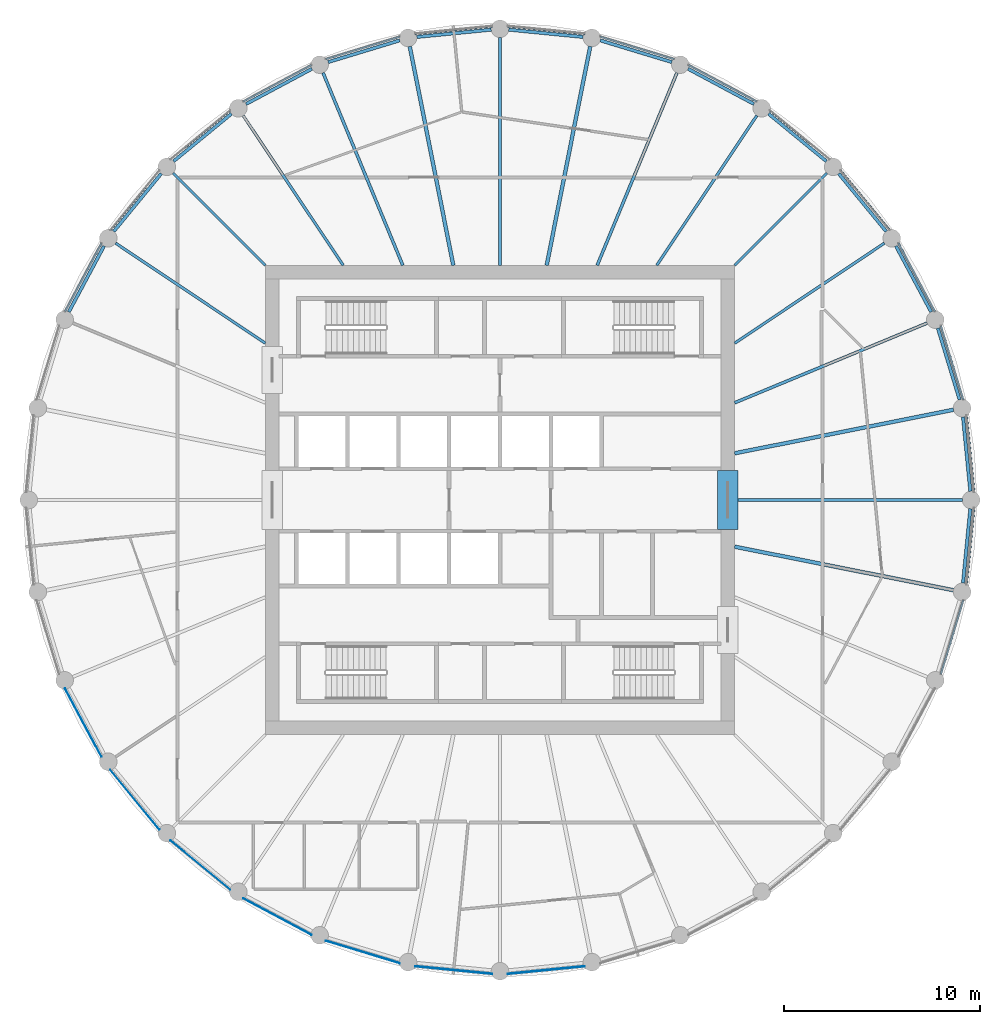
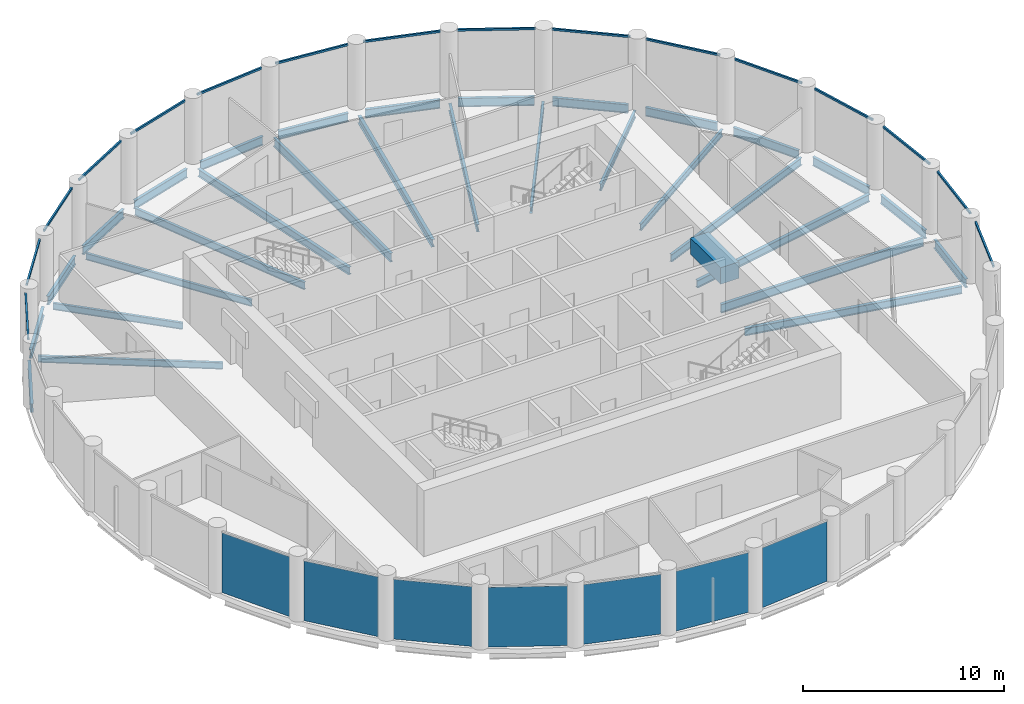
# One storey, part 2 of 8: 31 beams, 16 members, 7 plates, 23 elements without a shape of their own.
"""IFC4 building model written with IfcOpenShell, lengths in metres."""

import ifcopenshell
import ifcopenshell.guid

model = None  # the IFC model being written
_history = None  # IfcOwnerHistory: only IFC2X3 demands one
_inside = {}  # id of a spatial element -> (the spatial element, [elements in it])
_under = {}  # id of a project, library or spatial element -> (it, [spatial elements below it])
_declared = {}  # id of a project -> (the project, [libraries it declares])
_typed = {}  # id of a type object -> (the type object, [elements of that type])
_made_of = {}  # id of a material, layer set ... -> (it, [elements and type objects made of it])


def new_model(schema):
    """Start an empty IFC model of exactly this schema.

    Asked for "IFC4X3", IfcOpenShell would pick the latest addendum, in which some entities
    have other attributes; the version numbers below select the first issue.
    IFC2X3 requires an IfcOwnerHistory on every rooted entity: one is made here for all.
    """
    global model, _history
    if schema == "IFC4X3":
        model = ifcopenshell.file(schema_version=(4, 3, 0, 0))
    else:
        model = ifcopenshell.file(schema=schema)
    _inside.clear()
    _under.clear()
    _declared.clear()
    _typed.clear()
    _made_of.clear()
    _history = None
    if model.schema == "IFC2X3":
        org = make("IfcOrganization", Name="unknown")
        user = make(
            "IfcPersonAndOrganization",
            ThePerson=make("IfcPerson", FamilyName="unknown"),
            TheOrganization=org,
        )
        app = make(
            "IfcApplication",
            ApplicationDeveloper=org,
            Version="unknown",
            ApplicationFullName="unknown",
            ApplicationIdentifier="unknown",
        )
        _history = make(
            "IfcOwnerHistory",
            OwningUser=user,
            OwningApplication=app,
            ChangeAction="ADDED",
            CreationDate=0,
        )
    return model


def make(cls, **values):
    """One entity of the class cls with the attributes given. An attribute that is None is left unset."""
    return model.create_entity(
        cls, **{name: value for name, value in values.items() if value is not None}
    )


def rooted(cls, **values):
    """An entity with a GlobalId (a new one), such as an element, a storey or a relation."""
    return make(cls, GlobalId=ifcopenshell.guid.new(), OwnerHistory=_history, **values)


def si_unit(unit_type, name, prefix=None):
    """IfcSIUnit, for example si_unit("LENGTHUNIT", "METRE", prefix="MILLI")."""
    return make("IfcSIUnit", UnitType=unit_type, Prefix=prefix, Name=name)


def assignment(units):
    """IfcUnitAssignment: the units of a project."""
    return None if units is None else make("IfcUnitAssignment", Units=units)


def point(xyz):
    """IfcCartesianPoint."""
    return None if xyz is None else make("IfcCartesianPoint", Coordinates=xyz)


def direction(xyz):
    """IfcDirection."""
    return None if xyz is None else make("IfcDirection", DirectionRatios=xyz)


def frame(location, z_axis=None, x_axis=None):
    """IfcAxis2Placement3D, a coordinate frame: its origin and axes. An axis left out is left unset."""
    return make(
        "IfcAxis2Placement3D",
        Location=point(location),
        Axis=direction(z_axis),
        RefDirection=direction(x_axis),
    )


def frame_2d(location, x_axis=None):
    """IfcAxis2Placement2D, a coordinate frame in the plane: its origin and x axis."""
    return make(
        "IfcAxis2Placement2D", Location=point(location), RefDirection=direction(x_axis)
    )


def origin():
    """The frame at (0, 0, 0) with its axes left unset."""
    return frame((0.0, 0.0, 0.0))


def origin_2d():
    """The frame at (0, 0) in the plane with its x axis left unset."""
    return frame_2d((0.0, 0.0))


def place(relative_to, where):
    """IfcLocalPlacement: puts the frame where relative to a parent placement (None: the world)."""
    return make(
        "IfcLocalPlacement", PlacementRelTo=relative_to, RelativePlacement=where
    )


def context(
    kind, dimensions, precision=None, world=None, true_north=None, identifier=None
):
    """IfcGeometricRepresentationContext, for example the 3D "Model" context."""
    return make(
        "IfcGeometricRepresentationContext",
        ContextIdentifier=identifier,
        ContextType=kind,
        CoordinateSpaceDimension=dimensions,
        Precision=precision,
        WorldCoordinateSystem=world,
        TrueNorth=true_north,
    )


def subcontext(parent, identifier, kind, view, scale=None):
    """IfcGeometricRepresentationSubContext, for example "Body" below "Model"."""
    return make(
        "IfcGeometricRepresentationSubContext",
        ContextIdentifier=identifier,
        ContextType=kind,
        ParentContext=parent,
        TargetScale=scale,
        TargetView=view,
    )


def project(units=None, contexts=None):
    """IfcProject with its units and contexts."""
    return rooted(
        "IfcProject",
        Name="project",
        RepresentationContexts=contexts,
        UnitsInContext=assignment(units),
    )


def spatial(cls, under=None, at=None, **own):
    """A site, building, storey or space (cls), placed at a placement, below another one or the project."""
    s = rooted(cls, ObjectPlacement=at, **own)
    if under is not None:
        _under.setdefault(under.id(), (under, []))[1].append(s)
    return s


def profile(cls, at=None, kind="AREA", **sizes):
    """A parametric profile (cls). Its sizes go by their IFC names, for example OverallWidth=200.0."""
    return make(cls, ProfileType=kind, Position=at, **sizes)


def rectangle(**sizes):
    """IfcRectangleProfileDef."""
    return profile("IfcRectangleProfileDef", **sizes)


def i_section(**sizes):
    """IfcIShapeProfileDef."""
    return profile("IfcIShapeProfileDef", **sizes)


def extrude(swept, where, along, depth):
    """IfcExtrudedAreaSolid: the profile swept, set in the frame where, extruded along a direction by depth."""
    return make(
        "IfcExtrudedAreaSolid",
        SweptArea=swept,
        Position=where,
        ExtrudedDirection=direction(along),
        Depth=depth,
    )


def shape(context_of_items, identifier, shape_type, items):
    """IfcShapeRepresentation: the items that make up one representation, for example the "Body"."""
    return make(
        "IfcShapeRepresentation",
        ContextOfItems=context_of_items,
        RepresentationIdentifier=identifier,
        RepresentationType=shape_type,
        Items=items,
    )


def material(Name=None, Category=None):
    """IfcMaterial."""
    return make("IfcMaterial", Name=Name, Category=Category)


def layer(
    of_material, thickness, ventilated=None, Name=None, Category=None, Priority=None
):
    """IfcMaterialLayer: one layer of a wall or slab, of a material (None: an air gap)."""
    return make(
        "IfcMaterialLayer",
        Material=of_material,
        LayerThickness=thickness,
        IsVentilated=ventilated,
        Name=Name,
        Category=Category,
        Priority=Priority,
    )


def layer_set(layers, Name=None):
    """IfcMaterialLayerSet."""
    return make("IfcMaterialLayerSet", MaterialLayers=layers, LayerSetName=Name)


def material_profile(
    of_material, cross_section, Name=None, Category=None, Priority=None
):
    """IfcMaterialProfile: a cross section and its material."""
    return make(
        "IfcMaterialProfile",
        Name=Name,
        Material=of_material,
        Profile=cross_section,
        Priority=Priority,
        Category=Category,
    )


def profile_set(profiles, Name=None, composite=None):
    """IfcMaterialProfileSet."""
    return make(
        "IfcMaterialProfileSet",
        Name=Name,
        MaterialProfiles=profiles,
        CompositeProfile=composite,
    )


def made_of(thing, what):
    """Note that an element or type object is made of a material, layer set ...; save() writes the relation."""
    if what is not None:
        _made_of.setdefault(what.id(), (what, []))[1].append(thing)
    return thing


def type_object(cls, material=None, **own):
    """A type object (cls), such as IfcWallType, which elements share."""
    return made_of(rooted(cls, **own), material)


def element(
    cls,
    number,
    at=None,
    inside=None,
    cuts=None,
    type_object=None,
    material=None,
    context=None,
    identifier="Body",
    shape_type=None,
    held_by="IfcProductDefinitionShape",
    body=None,
    shapes=None,
    **own,
):
    """One element of the class cls, such as IfcWall. Its Tag is "e" and its number.

    at: its placement. inside: the storey or other place that contains it. cuts: it is an
    opening in that element (IfcRelVoidsElement). A single representation is given by context,
    identifier, shape_type and body (its items); several are given by shapes. held_by: the class
    of the entity that holds the representations. save() writes the other relations.
    """
    e = rooted(cls, Tag="e%d" % number, ObjectPlacement=at, **own)
    if body is not None:
        shapes = [shape(context, identifier, shape_type, body)]
    if shapes is not None:
        e.Representation = make(held_by, Representations=shapes)
    if inside is not None:
        _inside.setdefault(inside.id(), (inside, []))[1].append(e)
    if cuts is not None:
        rooted(
            "IfcRelVoidsElement", RelatingBuildingElement=cuts, RelatedOpeningElement=e
        )
    if type_object is not None:
        _typed.setdefault(type_object.id(), (type_object, []))[1].append(e)
    return made_of(e, material)


def aggregate(whole, parts):
    """IfcRelAggregates: a whole, such as a stair, and the parts it consists of."""
    return rooted("IfcRelAggregates", RelatingObject=whole, RelatedObjects=parts)


def save(model, path):
    """Write the relations noted so far, then the file.

    IfcRelAggregates (storeys below a building ...), IfcRelContainedInSpatialStructure (elements
    in a storey), IfcRelDefinesByType, IfcRelAssociatesMaterial and IfcRelDeclares: one each for
    every whole, place, type object, material and project.
    """
    for whole, parts in _under.values():
        aggregate(whole, parts)
    for where, things in _inside.values():
        rooted(
            "IfcRelContainedInSpatialStructure",
            RelatedElements=things,
            RelatingStructure=where,
        )
    for kind, things in _typed.values():
        rooted("IfcRelDefinesByType", RelatedObjects=things, RelatingType=kind)
    for what, things in _made_of.values():
        rooted("IfcRelAssociatesMaterial", RelatedObjects=things, RelatingMaterial=what)
    for by, libraries in _declared.values():
        rooted("IfcRelDeclares", RelatingContext=by, RelatedDefinitions=libraries)
    model.write(path)


model = new_model("IFC4")

# Units and contexts
model_context = context("Model", 3, precision=1e-05, world=origin(), true_north=direction((0.0, 1.0)))
body_context = subcontext(model_context, "Body", "Model", "MODEL_VIEW")
ifc_project = project(units=[si_unit("LENGTHUNIT", "METRE"), si_unit("AREAUNIT", "SQUARE_METRE"), si_unit("VOLUMEUNIT", "CUBIC_METRE"), si_unit("PLANEANGLEUNIT", "RADIAN"), si_unit("MASSUNIT", "GRAM", prefix="KILO")], contexts=[model_context])

# Site, building, storey
site_placement = place(None, origin())
site = spatial("IfcSite", under=ifc_project, at=site_placement, CompositionType="ELEMENT")
building_placement = place(site_placement, origin())
building = spatial("IfcBuilding", under=site, at=building_placement, Name="Corvane Civic Tower", CompositionType="ELEMENT")
storey_placement = place(building_placement, frame((0.0, 0.0, 303.0)))
storey = spatial("IfcBuildingStorey", under=building, at=storey_placement, Name="L72", CompositionType="ELEMENT", Elevation=303.0)

# Beams
ifc_material_1 = material(Name="Concrete C40/50", Category="concrete")
ifc_material_profile_1 = material_profile(ifc_material_1, rectangle(XDim=1.050048828125, YDim=1.0, at=origin_2d()), Name="COUPLING BEAM 1050X1000")
ifc_profile_set_1 = profile_set([ifc_material_profile_1], Name="Concrete C40/50")
beam_type_1 = type_object("IfcBeamType", Name="COUPLING BEAM COUPLING BEAM 1050X1000", PredefinedType="BEAM", material=ifc_profile_set_1)
beam_1_placement = place(storey_placement, frame((11.64990234375, -1.5, 2.60009765625), z_axis=(0.0, 1.0, 0.0), x_axis=(-1.0, 0.0, 0.0)))
element("IfcBeam", 1, at=beam_1_placement, inside=storey, type_object=beam_type_1, Name="BM-L72-cpl-CW-LE", PredefinedType="BEAM", context=body_context, shape_type="SweptSolid", body=[
    extrude(rectangle(XDim=1.050048828125, YDim=1.0, at=origin_2d()), origin(), (0.0, 0.0, 1.0), 3.0),
])
ifc_material_2 = material(Name="Steel ASTM A992 Gr 50", Category="steel")
ifc_material_profile_2 = material_profile(ifc_material_2, i_section(OverallWidth=0.165771484375, OverallDepth=0.5283203125, WebThickness=0.009765625, FlangeThickness=0.013671875, at=origin_2d()), Name="W21X50")
ifc_profile_set_2 = profile_set([ifc_material_profile_2], Name="Steel ASTM A992 Gr 50")
beam_type_2 = type_object("IfcBeamType", Name="EDGE BEAM W21X50", PredefinedType="BEAM", material=ifc_profile_set_2)
for number, where, z_axis, x_axis, name in (
    (2, (0.44775390625, 24.055908203125, -0.564208984375), (0.995187721162, -0.097986732007, 0.0), (0.097986732007, 0.995187721162, 0.0), "BM-L72-E01"),
    (3, (5.13232421875, 23.50634765625, -0.564208984375), (0.95692555902, -0.290333385085, 0.0), (0.290333385085, 0.95692555902, 0.0), "BM-L72-E02"),
):
    element("IfcBeam", number, at=place(storey_placement, frame(where, z_axis=z_axis, x_axis=x_axis)), inside=storey, type_object=beam_type_2, Name=name, PredefinedType="BEAM", context=body_context, shape_type="SweptSolid", body=[
        extrude(i_section(OverallWidth=0.165771484375, OverallDepth=0.5283203125, WebThickness=0.009765625, FlangeThickness=0.013671875, at=origin_2d()), origin(), (0.0, 0.0, 1.0), 3.824462890625),
    ])
beam_2_placement = place(storey_placement, frame((9.61962890625, 22.05322265625, -0.564208984375), z_axis=(0.881914279413, -0.471409804487, 0.0), x_axis=(0.471409804487, 0.881914279413, 0.0)))
element("IfcBeam", 4, at=beam_2_placement, inside=storey, type_object=beam_type_2, Name="BM-L72-E03", PredefinedType="BEAM", context=body_context, shape_type="SweptSolid", body=[
    extrude(i_section(OverallWidth=0.165771484375, OverallDepth=0.5283203125, WebThickness=0.009765625, FlangeThickness=0.013671875, at=origin_2d()), origin(), (0.0, 0.0, 1.0), 3.82421875),
])
for number, where, z_axis, x_axis, name in (
    (5, (13.737060546875, 19.7529296875, -0.564208984375), (0.772997914867, -0.634408562057, 0.0), (0.634408562057, 0.772997914867, 0.0), "BM-L72-E04"),
    (6, (17.32666015625, 16.693359375, -0.564208984375), (0.634408562057, -0.772997914867, 0.0), (0.772997914867, 0.634408562057, 0.0), "BM-L72-E05"),
):
    element("IfcBeam", number, at=place(storey_placement, frame(where, z_axis=z_axis, x_axis=x_axis)), inside=storey, type_object=beam_type_2, Name=name, PredefinedType="BEAM", context=body_context, shape_type="SweptSolid", body=[
        extrude(i_section(OverallWidth=0.165771484375, OverallDepth=0.5283203125, WebThickness=0.009765625, FlangeThickness=0.013671875, at=origin_2d()), origin(), (0.0, 0.0, 1.0), 3.824462890625),
    ])
beam_3_placement = place(storey_placement, frame((20.25048828125, 12.9921875, -0.564208984375), z_axis=(0.471409804487, -0.881914279413, 0.0), x_axis=(0.881914279413, 0.471409804487, 0.0)))
element("IfcBeam", 7, at=beam_3_placement, inside=storey, type_object=beam_type_2, Name="BM-L72-E06", PredefinedType="BEAM", context=body_context, shape_type="SweptSolid", body=[
    extrude(i_section(OverallWidth=0.165771484375, OverallDepth=0.5283203125, WebThickness=0.009765625, FlangeThickness=0.013671875, at=origin_2d()), origin(), (0.0, 0.0, 1.0), 3.82421875),
])
for number, where, z_axis, x_axis, name in (
    (8, (22.39599609375, 8.7919921875, -0.564208984375), (0.290333385085, -0.95692555902, 0.0), (0.95692555902, 0.290333385085, 0.0), "BM-L72-E07"),
    (9, (23.68115234375, 4.25390625, -0.564208984375), (0.097986732007, -0.995187721162, 0.0), (0.995187721162, 0.097986732007, 0.0), "BM-L72-E08"),
    (10, (24.055908203125, -0.44775390625, -0.564208984375), (-0.097986732007, -0.995187721162, 0.0), (0.995187721162, -0.097986732007, 0.0), "BM-L72-E09"),
):
    element("IfcBeam", number, at=place(storey_placement, frame(where, z_axis=z_axis, x_axis=x_axis)), inside=storey, type_object=beam_type_2, Name=name, PredefinedType="BEAM", context=body_context, shape_type="SweptSolid", body=[
        extrude(i_section(OverallWidth=0.165771484375, OverallDepth=0.5283203125, WebThickness=0.009765625, FlangeThickness=0.013671875, at=origin_2d()), origin(), (0.0, 0.0, 1.0), 3.824462890625),
    ])
beam_4_placement = place(storey_placement, frame((-22.05322265625, 9.61962890625, -0.564208984375), z_axis=(0.471409804487, 0.881914279413, 0.0), x_axis=(-0.881914279413, 0.471409804487, 0.0)))
element("IfcBeam", 11, at=beam_4_placement, inside=storey, type_object=beam_type_2, Name="BM-L72-E27", PredefinedType="BEAM", context=body_context, shape_type="SweptSolid", body=[
    extrude(i_section(OverallWidth=0.165771484375, OverallDepth=0.5283203125, WebThickness=0.009765625, FlangeThickness=0.013671875, at=origin_2d()), origin(), (0.0, 0.0, 1.0), 3.82421875),
])
for number, where, z_axis, x_axis, name in (
    (12, (-19.7529296875, 13.737060546875, -0.564208984375), (0.634408562057, 0.772997914867, 0.0), (-0.772997914867, 0.634408562057, 0.0), "BM-L72-E28"),
    (13, (-16.693359375, 17.32666015625, -0.564208984375), (0.772997914867, 0.634408562057, 0.0), (-0.634408562057, 0.772997914867, 0.0), "BM-L72-E29"),
):
    element("IfcBeam", number, at=place(storey_placement, frame(where, z_axis=z_axis, x_axis=x_axis)), inside=storey, type_object=beam_type_2, Name=name, PredefinedType="BEAM", context=body_context, shape_type="SweptSolid", body=[
        extrude(i_section(OverallWidth=0.165771484375, OverallDepth=0.5283203125, WebThickness=0.009765625, FlangeThickness=0.013671875, at=origin_2d()), origin(), (0.0, 0.0, 1.0), 3.824462890625),
    ])
beam_5_placement = place(storey_placement, frame((-12.9921875, 20.25048828125, -0.564208984375), z_axis=(0.881914279413, 0.471409804487, 0.0), x_axis=(-0.471409804487, 0.881914279413, 0.0)))
element("IfcBeam", 14, at=beam_5_placement, inside=storey, type_object=beam_type_2, Name="BM-L72-E30", PredefinedType="BEAM", context=body_context, shape_type="SweptSolid", body=[
    extrude(i_section(OverallWidth=0.165771484375, OverallDepth=0.5283203125, WebThickness=0.009765625, FlangeThickness=0.013671875, at=origin_2d()), origin(), (0.0, 0.0, 1.0), 3.82421875),
])
for number, where, z_axis, x_axis, name in (
    (15, (-8.7919921875, 22.39599609375, -0.564208984375), (0.95692555902, 0.290333385085, 0.0), (-0.290333385085, 0.95692555902, 0.0), "BM-L72-E31"),
    (16, (-4.25390625, 23.68115234375, -0.564208984375), (0.995187721162, 0.097986732007, 0.0), (-0.097986732007, 0.995187721162, 0.0), "BM-L72-E32"),
):
    element("IfcBeam", number, at=place(storey_placement, frame(where, z_axis=z_axis, x_axis=x_axis)), inside=storey, type_object=beam_type_2, Name=name, PredefinedType="BEAM", context=body_context, shape_type="SweptSolid", body=[
        extrude(i_section(OverallWidth=0.165771484375, OverallDepth=0.5283203125, WebThickness=0.009765625, FlangeThickness=0.013671875, at=origin_2d()), origin(), (0.0, 0.0, 1.0), 3.824462890625),
    ])
ifc_material_3 = material(Name="Steel ASTM A992 Gr 50", Category="steel")
ifc_material_profile_3 = material_profile(ifc_material_3, i_section(OverallWidth=0.140380859375, OverallDepth=0.40380859375, WebThickness=0.007080078125, FlangeThickness=0.01123046875, at=origin_2d()), Name="W16X31")
ifc_profile_set_3 = profile_set([ifc_material_profile_3], Name="Steel ASTM A992 Gr 50")
beam_type_3 = type_object("IfcBeamType", Name="FLOOR GIRDER W16X31", PredefinedType="BEAM", material=ifc_profile_set_3)
beam_6_placement = place(storey_placement, frame((8.01806640625, 12.0, -0.501953125), z_axis=(0.555567816355, 0.831471227061, 0.0), x_axis=(-0.831471227061, 0.555567816355, 0.0)))
element("IfcBeam", 17, at=beam_6_placement, inside=storey, type_object=beam_type_3, Name="BM-L72-G04", PredefinedType="BEAM", context=body_context, shape_type="SweptSolid", body=[
    extrude(i_section(OverallWidth=0.140380859375, OverallDepth=0.40380859375, WebThickness=0.007080078125, FlangeThickness=0.01123046875, at=origin_2d()), origin(), (0.0, 0.0, 1.0), 9.2177734375),
])
beam_7_placement = place(storey_placement, frame((12.0, 12.0, -0.501953125), z_axis=(0.707106781187, 0.707106781187, 0.0), x_axis=(-0.707106781187, 0.707106781187, 0.0)))
element("IfcBeam", 18, at=beam_7_placement, inside=storey, type_object=beam_type_3, Name="BM-L72-G05", PredefinedType="BEAM", context=body_context, shape_type="SweptSolid", body=[
    extrude(i_section(OverallWidth=0.140380859375, OverallDepth=0.40380859375, WebThickness=0.007080078125, FlangeThickness=0.01123046875, at=origin_2d()), origin(), (0.0, 0.0, 1.0), 6.679443359375),
])
for number, where, z_axis, x_axis, name in (
    (19, (12.0, 8.01806640625, -0.501953125), (0.831471227061, 0.555567816355, 0.0), (-0.555567816355, 0.831471227061, 0.0), "BM-L72-G06"),
    (20, (-12.0, 8.01806640625, -0.501953125), (-0.831471227061, 0.555567816355, 0.0), (-0.555567816355, -0.831471227061, 0.0), "BM-L72-G28"),
):
    element("IfcBeam", number, at=place(storey_placement, frame(where, z_axis=z_axis, x_axis=x_axis)), inside=storey, type_object=beam_type_3, Name=name, PredefinedType="BEAM", context=body_context, shape_type="SweptSolid", body=[
        extrude(i_section(OverallWidth=0.140380859375, OverallDepth=0.40380859375, WebThickness=0.007080078125, FlangeThickness=0.01123046875, at=origin_2d()), origin(), (0.0, 0.0, 1.0), 9.2177734375),
    ])
beam_8_placement = place(storey_placement, frame((-12.0, 12.0, -0.501953125), z_axis=(-0.707106781187, 0.707106781187, 0.0), x_axis=(-0.707106781187, -0.707106781187, 0.0)))
element("IfcBeam", 21, at=beam_8_placement, inside=storey, type_object=beam_type_3, Name="BM-L72-G29", PredefinedType="BEAM", context=body_context, shape_type="SweptSolid", body=[
    extrude(i_section(OverallWidth=0.140380859375, OverallDepth=0.40380859375, WebThickness=0.007080078125, FlangeThickness=0.01123046875, at=origin_2d()), origin(), (0.0, 0.0, 1.0), 6.679443359375),
])
beam_9_placement = place(storey_placement, frame((-8.01806640625, 12.0, -0.501953125), z_axis=(-0.555567816355, 0.831471227061, 0.0), x_axis=(-0.831471227061, -0.555567816355, 0.0)))
element("IfcBeam", 22, at=beam_9_placement, inside=storey, type_object=beam_type_3, Name="BM-L72-G30", PredefinedType="BEAM", context=body_context, shape_type="SweptSolid", body=[
    extrude(i_section(OverallWidth=0.140380859375, OverallDepth=0.40380859375, WebThickness=0.007080078125, FlangeThickness=0.01123046875, at=origin_2d()), origin(), (0.0, 0.0, 1.0), 9.2177734375),
])
ifc_material_4 = material(Name="Steel ASTM A992 Gr 50", Category="steel")
ifc_material_profile_4 = material_profile(ifc_material_4, i_section(OverallWidth=0.15283203125, OverallDepth=0.45458984375, WebThickness=0.008056640625, FlangeThickness=0.013427734375, at=origin_2d()), Name="W18X40")
ifc_profile_set_4 = profile_set([ifc_material_profile_4], Name="Steel ASTM A992 Gr 50")
beam_type_4 = type_object("IfcBeamType", Name="FLOOR GIRDER W18X40", PredefinedType="BEAM", material=ifc_profile_set_4)
for number, where, z_axis, x_axis, name in (
    (23, (4.970458984375, 12.0, -0.52734375), (0.382694257331, 0.923875048589, 0.0), (-0.923875048589, 0.382694257331, 0.0), "BM-L72-G03"),
    (24, (12.0, 4.970458984375, -0.52734375), (0.923875048589, 0.382694257331, 0.0), (-0.382694257331, 0.923875048589, 0.0), "BM-L72-G07"),
    (25, (-4.970458984375, 12.0, -0.52734375), (-0.382694257331, 0.923875048589, 0.0), (-0.923875048589, -0.382694257331, 0.0), "BM-L72-G31"),
):
    element("IfcBeam", number, at=place(storey_placement, frame(where, z_axis=z_axis, x_axis=x_axis)), inside=storey, type_object=beam_type_4, Name=name, PredefinedType="BEAM", context=body_context, shape_type="SweptSolid", body=[
        extrude(i_section(OverallWidth=0.15283203125, OverallDepth=0.45458984375, WebThickness=0.008056640625, FlangeThickness=0.013427734375, at=origin_2d()), origin(), (0.0, 0.0, 1.0), 10.661376953125),
    ])
ifc_material_5 = material(Name="Steel ASTM A992 Gr 50", Category="steel")
ifc_material_profile_5 = material_profile(ifc_material_5, i_section(OverallWidth=0.1904296875, OverallDepth=0.457275390625, WebThickness=0.009033203125, FlangeThickness=0.014404296875, at=origin_2d()), Name="W18X50")
ifc_profile_set_5 = profile_set([ifc_material_profile_5], Name="Steel ASTM A992 Gr 50")
beam_type_5 = type_object("IfcBeamType", Name="FLOOR GIRDER W18X50", PredefinedType="BEAM", material=ifc_profile_set_5)
for number, where, z_axis, x_axis, name in (
    (26, (2.386962890625, 12.0, -0.528564453125), (0.195079532402, 0.980787426529, 0.0), (-0.980787426529, 0.195079532402, 0.0), "BM-L72-G02"),
    (27, (12.0, 2.386962890625, -0.528564453125), (0.980787426529, 0.195079532402, 0.0), (-0.195079532402, 0.980787426529, 0.0), "BM-L72-G08"),
    (28, (12.0, -2.386962890625, -0.528564453125), (0.980787426529, -0.195079532402, 0.0), (0.195079532402, 0.980787426529, 0.0), "BM-L72-G10"),
    (29, (-2.386962890625, 12.0, -0.528564453125), (-0.195079532402, 0.980787426529, 0.0), (-0.980787426529, -0.195079532402, 0.0), "BM-L72-G32"),
):
    element("IfcBeam", number, at=place(storey_placement, frame(where, z_axis=z_axis, x_axis=x_axis)), inside=storey, type_object=beam_type_5, Name=name, PredefinedType="BEAM", context=body_context, shape_type="SweptSolid", body=[
        extrude(i_section(OverallWidth=0.1904296875, OverallDepth=0.457275390625, WebThickness=0.009033203125, FlangeThickness=0.014404296875, at=origin_2d()), origin(), (0.0, 0.0, 1.0), 11.414794921875),
    ])
ifc_material_6 = material(Name="Steel ASTM A992 Gr 50", Category="steel")
ifc_material_profile_6 = material_profile(ifc_material_6, i_section(OverallWidth=0.165771484375, OverallDepth=0.5283203125, WebThickness=0.009765625, FlangeThickness=0.013671875, at=origin_2d()), Name="W21X50")
ifc_profile_set_6 = profile_set([ifc_material_profile_6], Name="Steel ASTM A992 Gr 50")
beam_type_6 = type_object("IfcBeamType", Name="FLOOR GIRDER W21X50", PredefinedType="BEAM", material=ifc_profile_set_6)
for number, where, z_axis, x_axis, name in (
    (30, (0.0, 12.0, -0.564208984375), (0.0, 1.0, 0.0), (-1.0, 0.0, 0.0), "BM-L72-G01"),
    (31, (12.0, 0.0, -0.564208984375), (1.0, 0.0, 0.0), (0.0, 1.0, 0.0), "BM-L72-G09"),
):
    element("IfcBeam", number, at=place(storey_placement, frame(where, z_axis=z_axis, x_axis=x_axis)), inside=storey, type_object=beam_type_6, Name=name, PredefinedType="BEAM", context=body_context, shape_type="SweptSolid", body=[
        extrude(i_section(OverallWidth=0.165771484375, OverallDepth=0.5283203125, WebThickness=0.009765625, FlangeThickness=0.013671875, at=origin_2d()), origin(), (0.0, 0.0, 1.0), 11.64990234375),
    ])

# Curtain wall, member
ifc_material_7 = material(Name="Anodised aluminium bronze", Category="aluminium")
curtain_wall_type = type_object("IfcCurtainWallType", Name="TOWER CW-T3 STICK CURTAIN WALL", PredefinedType="NOTDEFINED", material=ifc_material_7)
curtain_wall_1_placement = place(storey_placement, origin())
curtain_wall_1 = element("IfcCurtainWall", 32, at=curtain_wall_1_placement, inside=storey, type_object=curtain_wall_type, Name="Curtain wall CW-T3 L72 bay 01", PredefinedType="NOTDEFINED")
ifc_material_8 = material(Name="Anodised aluminium bronze", Category="aluminium")
ifc_material_profile_7 = material_profile(ifc_material_8, rectangle(XDim=0.10009765625, YDim=0.1201171875, at=origin_2d()), Name="TOWER CW-T3 TRANSOM 100x120")
ifc_profile_set_7 = profile_set([ifc_material_profile_7], Name="Anodised aluminium bronze")
member_type = type_object("IfcMemberType", Name="TOWER CW-T3 TRANSOM 100x120", PredefinedType="USERDEFINED", material=ifc_profile_set_7)
member_1_placement = place(storey_placement, frame((0.3984375, 24.24072265625, 3.68994140625), z_axis=(0.995186866683, -0.097995409999, 0.0), x_axis=(0.097995409999, 0.995186866683, 0.0)))
member_1 = element("IfcMember", 33, at=member_1_placement, type_object=member_type, Name="Transom CW-T3 L72 01.1", ObjectType="TRANSOM", PredefinedType="USERDEFINED", context=body_context, shape_type="SweptSolid", body=[
    extrude(rectangle(XDim=0.10009765625, YDim=0.1201171875, at=origin_2d()), origin(), (0.0, 0.0, 1.0), 3.958740234375),
])
aggregate(curtain_wall_1, [member_1])

curtain_wall_2_placement = place(storey_placement, origin())
curtain_wall_2 = element("IfcCurtainWall", 34, at=curtain_wall_2_placement, inside=storey, type_object=curtain_wall_type, Name="Curtain wall CW-T3 L72 bay 02", PredefinedType="NOTDEFINED")
member_2_placement = place(storey_placement, frame((5.119873046875, 23.697265625, 3.68994140625), z_axis=(0.956946054205, -0.290265825309, 0.0), x_axis=(0.290265825309, 0.956946054205, 0.0)))
member_2 = element("IfcMember", 35, at=member_2_placement, type_object=member_type, Name="Transom CW-T3 L72 02.1", ObjectType="TRANSOM", PredefinedType="USERDEFINED", context=body_context, shape_type="SweptSolid", body=[
    extrude(rectangle(XDim=0.10009765625, YDim=0.1201171875, at=origin_2d()), origin(), (0.0, 0.0, 1.0), 3.958984375),
])
aggregate(curtain_wall_2, [member_2])

curtain_wall_3_placement = place(storey_placement, origin())
curtain_wall_3 = element("IfcCurtainWall", 36, at=curtain_wall_3_placement, inside=storey, type_object=curtain_wall_type, Name="Curtain wall CW-T3 L72 bay 03", PredefinedType="NOTDEFINED")
member_3_placement = place(storey_placement, frame((9.644775390625, 22.2431640625, 3.68994140625), z_axis=(0.881883040816, -0.471468241052, 0.0), x_axis=(0.471468241052, 0.881883040816, 0.0)))
member_3 = element("IfcMember", 37, at=member_3_placement, type_object=member_type, Name="Transom CW-T3 L72 03.1", ObjectType="TRANSOM", PredefinedType="USERDEFINED", context=body_context, shape_type="SweptSolid", body=[
    extrude(rectangle(XDim=0.10009765625, YDim=0.1201171875, at=origin_2d()), origin(), (0.0, 0.0, 1.0), 3.958740234375),
])
aggregate(curtain_wall_3, [member_3])

curtain_wall_4_placement = place(storey_placement, origin())
curtain_wall_4 = element("IfcCurtainWall", 38, at=curtain_wall_4_placement, inside=storey, type_object=curtain_wall_type, Name="Curtain wall CW-T3 L72 bay 04", PredefinedType="NOTDEFINED")
member_4_placement = place(storey_placement, frame((13.798828125, 19.93408203125, 3.68994140625), z_axis=(0.772991943051, -0.634415838373, 0.0), x_axis=(0.634415838373, 0.772991943051, 0.0)))
member_4 = element("IfcMember", 39, at=member_4_placement, type_object=member_type, Name="Transom CW-T3 L72 04.1", ObjectType="TRANSOM", PredefinedType="USERDEFINED", context=body_context, shape_type="SweptSolid", body=[
    extrude(rectangle(XDim=0.10009765625, YDim=0.1201171875, at=origin_2d()), origin(), (0.0, 0.0, 1.0), 3.958740234375),
])
aggregate(curtain_wall_4, [member_4])

curtain_wall_5_placement = place(storey_placement, origin())
curtain_wall_5 = element("IfcCurtainWall", 40, at=curtain_wall_5_placement, inside=storey, type_object=curtain_wall_type, Name="Curtain wall CW-T3 L72 bay 05", PredefinedType="NOTDEFINED")
member_5_placement = place(storey_placement, frame((17.422607421875, 16.85888671875, 3.68994140625), z_axis=(0.634415838373, -0.772991943051, 0.0), x_axis=(0.772991943051, 0.634415838373, 0.0)))
member_5 = element("IfcMember", 41, at=member_5_placement, type_object=member_type, Name="Transom CW-T3 L72 05.1", ObjectType="TRANSOM", PredefinedType="USERDEFINED", context=body_context, shape_type="SweptSolid", body=[
    extrude(rectangle(XDim=0.10009765625, YDim=0.1201171875, at=origin_2d()), origin(), (0.0, 0.0, 1.0), 3.958740234375),
])
aggregate(curtain_wall_5, [member_5])

curtain_wall_6_placement = place(storey_placement, origin())
curtain_wall_6 = element("IfcCurtainWall", 42, at=curtain_wall_6_placement, inside=storey, type_object=curtain_wall_type, Name="Curtain wall CW-T3 L72 bay 06", PredefinedType="NOTDEFINED")
member_6_placement = place(storey_placement, frame((20.376708984375, 13.135986328125, 3.68994140625), z_axis=(0.471468241052, -0.881883040816, 0.0), x_axis=(0.881883040816, 0.471468241052, 0.0)))
member_6 = element("IfcMember", 43, at=member_6_placement, type_object=member_type, Name="Transom CW-T3 L72 06.1", ObjectType="TRANSOM", PredefinedType="USERDEFINED", context=body_context, shape_type="SweptSolid", body=[
    extrude(rectangle(XDim=0.10009765625, YDim=0.1201171875, at=origin_2d()), origin(), (0.0, 0.0, 1.0), 3.958740234375),
])
aggregate(curtain_wall_6, [member_6])

curtain_wall_7_placement = place(storey_placement, origin())
curtain_wall_7 = element("IfcCurtainWall", 44, at=curtain_wall_7_placement, inside=storey, type_object=curtain_wall_type, Name="Curtain wall CW-T3 L72 bay 07", PredefinedType="NOTDEFINED")
member_7_placement = place(storey_placement, frame((22.548095703125, 8.908447265625, 3.68994140625), z_axis=(0.290265825309, -0.956946054205, 0.0), x_axis=(0.956946054205, 0.290265825309, 0.0)))
member_7 = element("IfcMember", 45, at=member_7_placement, type_object=member_type, Name="Transom CW-T3 L72 07.1", ObjectType="TRANSOM", PredefinedType="USERDEFINED", context=body_context, shape_type="SweptSolid", body=[
    extrude(rectangle(XDim=0.10009765625, YDim=0.1201171875, at=origin_2d()), origin(), (0.0, 0.0, 1.0), 3.958984375),
])
aggregate(curtain_wall_7, [member_7])

curtain_wall_8_placement = place(storey_placement, origin())
curtain_wall_8 = element("IfcCurtainWall", 46, at=curtain_wall_8_placement, inside=storey, type_object=curtain_wall_type, Name="Curtain wall CW-T3 L72 bay 08", PredefinedType="NOTDEFINED")
member_8_placement = place(storey_placement, frame((23.852783203125, 4.338134765625, 3.68994140625), z_axis=(0.097995409999, -0.995186866683, 0.0), x_axis=(0.995186866683, 0.097995409999, 0.0)))
member_8 = element("IfcMember", 47, at=member_8_placement, type_object=member_type, Name="Transom CW-T3 L72 08.1", ObjectType="TRANSOM", PredefinedType="USERDEFINED", context=body_context, shape_type="SweptSolid", body=[
    extrude(rectangle(XDim=0.10009765625, YDim=0.1201171875, at=origin_2d()), origin(), (0.0, 0.0, 1.0), 3.958740234375),
])
aggregate(curtain_wall_8, [member_8])

curtain_wall_9_placement = place(storey_placement, origin())
curtain_wall_9 = element("IfcCurtainWall", 48, at=curtain_wall_9_placement, inside=storey, type_object=curtain_wall_type, Name="Curtain wall CW-T3 L72 bay 09", PredefinedType="NOTDEFINED")
member_9_placement = place(storey_placement, frame((24.24072265625, -0.3984375, 3.68994140625), z_axis=(-0.097995409999, -0.995186866683, 0.0), x_axis=(0.995186866683, -0.097995409999, 0.0)))
member_9 = element("IfcMember", 49, at=member_9_placement, type_object=member_type, Name="Transom CW-T3 L72 09.1", ObjectType="TRANSOM", PredefinedType="USERDEFINED", context=body_context, shape_type="SweptSolid", body=[
    extrude(rectangle(XDim=0.10009765625, YDim=0.1201171875, at=origin_2d()), origin(), (0.0, 0.0, 1.0), 3.958740234375),
])
aggregate(curtain_wall_9, [member_9])

curtain_wall_10_placement = place(storey_placement, origin())
curtain_wall_10 = element("IfcCurtainWall", 50, at=curtain_wall_10_placement, inside=storey, type_object=curtain_wall_type, Name="Curtain wall CW-T3 L72 bay 10", PredefinedType="NOTDEFINED")
member_10_placement = place(storey_placement, frame((23.697265625, -5.119873046875, 3.68994140625), z_axis=(-0.290265825309, -0.956946054205, 0.0), x_axis=(0.956946054205, -0.290265825309, 0.0)))
member_10 = element("IfcMember", 51, at=member_10_placement, type_object=member_type, Name="Transom CW-T3 L72 10.1", ObjectType="TRANSOM", PredefinedType="USERDEFINED", context=body_context, shape_type="SweptSolid", body=[
    extrude(rectangle(XDim=0.10009765625, YDim=0.1201171875, at=origin_2d()), origin(), (0.0, 0.0, 1.0), 3.958984375),
])
aggregate(curtain_wall_10, [member_10])

curtain_wall_11_placement = place(storey_placement, origin())
curtain_wall_11 = element("IfcCurtainWall", 52, at=curtain_wall_11_placement, inside=storey, type_object=curtain_wall_type, Name="Curtain wall CW-T3 L72 bay 27", PredefinedType="NOTDEFINED")
member_11_placement = place(storey_placement, frame((-22.2431640625, 9.644775390625, 3.68994140625), z_axis=(0.471468241052, 0.881883040816, 0.0), x_axis=(-0.881883040816, 0.471468241052, 0.0)))
member_11 = element("IfcMember", 53, at=member_11_placement, type_object=member_type, Name="Transom CW-T3 L72 27.1", ObjectType="TRANSOM", PredefinedType="USERDEFINED", context=body_context, shape_type="SweptSolid", body=[
    extrude(rectangle(XDim=0.10009765625, YDim=0.1201171875, at=origin_2d()), origin(), (0.0, 0.0, 1.0), 3.958740234375),
])
aggregate(curtain_wall_11, [member_11])

curtain_wall_12_placement = place(storey_placement, origin())
curtain_wall_12 = element("IfcCurtainWall", 54, at=curtain_wall_12_placement, inside=storey, type_object=curtain_wall_type, Name="Curtain wall CW-T3 L72 bay 28", PredefinedType="NOTDEFINED")
member_12_placement = place(storey_placement, frame((-19.93408203125, 13.798828125, 3.68994140625), z_axis=(0.634415838373, 0.772991943051, 0.0), x_axis=(-0.772991943051, 0.634415838373, 0.0)))
member_12 = element("IfcMember", 55, at=member_12_placement, type_object=member_type, Name="Transom CW-T3 L72 28.1", ObjectType="TRANSOM", PredefinedType="USERDEFINED", context=body_context, shape_type="SweptSolid", body=[
    extrude(rectangle(XDim=0.10009765625, YDim=0.1201171875, at=origin_2d()), origin(), (0.0, 0.0, 1.0), 3.958740234375),
])
aggregate(curtain_wall_12, [member_12])

curtain_wall_13_placement = place(storey_placement, origin())
curtain_wall_13 = element("IfcCurtainWall", 56, at=curtain_wall_13_placement, inside=storey, type_object=curtain_wall_type, Name="Curtain wall CW-T3 L72 bay 29", PredefinedType="NOTDEFINED")
member_13_placement = place(storey_placement, frame((-16.85888671875, 17.422607421875, 3.68994140625), z_axis=(0.772991943051, 0.634415838373, 0.0), x_axis=(-0.634415838373, 0.772991943051, 0.0)))
member_13 = element("IfcMember", 57, at=member_13_placement, type_object=member_type, Name="Transom CW-T3 L72 29.1", ObjectType="TRANSOM", PredefinedType="USERDEFINED", context=body_context, shape_type="SweptSolid", body=[
    extrude(rectangle(XDim=0.10009765625, YDim=0.1201171875, at=origin_2d()), origin(), (0.0, 0.0, 1.0), 3.958740234375),
])
aggregate(curtain_wall_13, [member_13])

curtain_wall_14_placement = place(storey_placement, origin())
curtain_wall_14 = element("IfcCurtainWall", 58, at=curtain_wall_14_placement, inside=storey, type_object=curtain_wall_type, Name="Curtain wall CW-T3 L72 bay 30", PredefinedType="NOTDEFINED")
member_14_placement = place(storey_placement, frame((-13.135986328125, 20.376708984375, 3.68994140625), z_axis=(0.881883040816, 0.471468241052, 0.0), x_axis=(-0.471468241052, 0.881883040816, 0.0)))
member_14 = element("IfcMember", 59, at=member_14_placement, type_object=member_type, Name="Transom CW-T3 L72 30.1", ObjectType="TRANSOM", PredefinedType="USERDEFINED", context=body_context, shape_type="SweptSolid", body=[
    extrude(rectangle(XDim=0.10009765625, YDim=0.1201171875, at=origin_2d()), origin(), (0.0, 0.0, 1.0), 3.958740234375),
])
aggregate(curtain_wall_14, [member_14])

curtain_wall_15_placement = place(storey_placement, origin())
curtain_wall_15 = element("IfcCurtainWall", 60, at=curtain_wall_15_placement, inside=storey, type_object=curtain_wall_type, Name="Curtain wall CW-T3 L72 bay 31", PredefinedType="NOTDEFINED")
member_15_placement = place(storey_placement, frame((-8.908447265625, 22.548095703125, 3.68994140625), z_axis=(0.956946054205, 0.290265825309, 0.0), x_axis=(-0.290265825309, 0.956946054205, 0.0)))
member_15 = element("IfcMember", 61, at=member_15_placement, type_object=member_type, Name="Transom CW-T3 L72 31.1", ObjectType="TRANSOM", PredefinedType="USERDEFINED", context=body_context, shape_type="SweptSolid", body=[
    extrude(rectangle(XDim=0.10009765625, YDim=0.1201171875, at=origin_2d()), origin(), (0.0, 0.0, 1.0), 3.958984375),
])
aggregate(curtain_wall_15, [member_15])

curtain_wall_16_placement = place(storey_placement, origin())
curtain_wall_16 = element("IfcCurtainWall", 62, at=curtain_wall_16_placement, inside=storey, type_object=curtain_wall_type, Name="Curtain wall CW-T3 L72 bay 32", PredefinedType="NOTDEFINED")
member_16_placement = place(storey_placement, frame((-4.338134765625, 23.852783203125, 3.68994140625), z_axis=(0.995186866683, 0.097995409999, 0.0), x_axis=(-0.097995409999, 0.995186866683, 0.0)))
member_16 = element("IfcMember", 63, at=member_16_placement, type_object=member_type, Name="Transom CW-T3 L72 32.1", ObjectType="TRANSOM", PredefinedType="USERDEFINED", context=body_context, shape_type="SweptSolid", body=[
    extrude(rectangle(XDim=0.10009765625, YDim=0.1201171875, at=origin_2d()), origin(), (0.0, 0.0, 1.0), 3.958740234375),
])
aggregate(curtain_wall_16, [member_16])

# Curtain wall, plate
curtain_wall_17_placement = place(storey_placement, origin())
curtain_wall_17 = element("IfcCurtainWall", 64, at=curtain_wall_17_placement, inside=storey, type_object=curtain_wall_type, Name="Curtain wall CW-T3 L72 bay 16", PredefinedType="NOTDEFINED")
ifc_material_9 = material(Name="Tinted glass", Category="glass")
ifc_layer = layer(ifc_material_9, 0.028076171875)
ifc_layer_set = layer_set([ifc_layer], Name="Tinted glass")
plate_type = type_object("IfcPlateType", Name="TOWER CW-T3 PANEL IGU28", PredefinedType="CURTAIN_PANEL", material=ifc_layer_set)
plate_1_placement = place(storey_placement, frame((2.368408203125, -24.046875, 0.0), z_axis=(0.0, 0.0, 1.0), x_axis=(-0.99518437747, -0.098020685775, 0.0)))
plate_1 = element("IfcPlate", 65, at=plate_1_placement, type_object=plate_type, Name="Glass panel CW-T3 L72 16.1", PredefinedType="CURTAIN_PANEL", context=body_context, shape_type="SweptSolid", body=[
    extrude(rectangle(XDim=3.958740234375, YDim=0.028076171875, at=origin_2d()), origin(), (0.0, 0.0, 1.0), 3.6298828125),
])
aggregate(curtain_wall_17, [plate_1])

curtain_wall_18_placement = place(storey_placement, origin())
curtain_wall_18 = element("IfcCurtainWall", 66, at=curtain_wall_18_placement, inside=storey, type_object=curtain_wall_type, Name="Curtain wall CW-T3 L72 bay 17", PredefinedType="NOTDEFINED")
plate_2_placement = place(storey_placement, frame((-2.368408203125, -24.046875, 0.0), z_axis=(0.0, 0.0, 1.0), x_axis=(-0.99518437747, 0.098020685775, 0.0)))
plate_2 = element("IfcPlate", 67, at=plate_2_placement, type_object=plate_type, Name="Glass panel CW-T3 L72 17.1", PredefinedType="CURTAIN_PANEL", context=body_context, shape_type="SweptSolid", body=[
    extrude(rectangle(XDim=3.958740234375, YDim=0.028076171875, at=origin_2d()), origin(), (0.0, 0.0, 1.0), 3.6298828125),
])
aggregate(curtain_wall_18, [plate_2])

curtain_wall_19_placement = place(storey_placement, origin())
curtain_wall_19 = element("IfcCurtainWall", 68, at=curtain_wall_19_placement, inside=storey, type_object=curtain_wall_type, Name="Curtain wall CW-T3 L72 bay 18", PredefinedType="NOTDEFINED")
plate_3_placement = place(storey_placement, frame((-7.01416015625, -23.12255859375, 0.0), z_axis=(0.0, 0.0, 1.0), x_axis=(-0.956943694519, 0.290273604586, 0.0)))
plate_3 = element("IfcPlate", 69, at=plate_3_placement, type_object=plate_type, Name="Glass panel CW-T3 L72 18.1", PredefinedType="CURTAIN_PANEL", context=body_context, shape_type="SweptSolid", body=[
    extrude(rectangle(XDim=3.958984375, YDim=0.028076171875, at=origin_2d()), origin(), (0.0, 0.0, 1.0), 3.6298828125),
])
aggregate(curtain_wall_19, [plate_3])

curtain_wall_20_placement = place(storey_placement, origin())
curtain_wall_20 = element("IfcCurtainWall", 70, at=curtain_wall_20_placement, inside=storey, type_object=curtain_wall_type, Name="Curtain wall CW-T3 L72 bay 19", PredefinedType="NOTDEFINED")
plate_4_placement = place(storey_placement, frame((-11.390380859375, -21.31005859375, 0.0), z_axis=(0.0, 0.0, 1.0), x_axis=(-0.881908138655, 0.471421292448, 0.0)))
plate_4 = element("IfcPlate", 71, at=plate_4_placement, type_object=plate_type, Name="Glass panel CW-T3 L72 19.1", PredefinedType="CURTAIN_PANEL", context=body_context, shape_type="SweptSolid", body=[
    extrude(rectangle(XDim=3.958740234375, YDim=0.028076171875, at=origin_2d()), origin(), (0.0, 0.0, 1.0), 3.6298828125),
])
aggregate(curtain_wall_20, [plate_4])

curtain_wall_21_placement = place(storey_placement, origin())
curtain_wall_21 = element("IfcCurtainWall", 72, at=curtain_wall_21_placement, inside=storey, type_object=curtain_wall_type, Name="Curtain wall CW-T3 L72 bay 20", PredefinedType="NOTDEFINED")
plate_5_placement = place(storey_placement, frame((-15.328857421875, -18.67822265625, 0.0), z_axis=(0.0, 0.0, 1.0), x_axis=(-0.773001130565, 0.634404643855, 0.0)))
plate_5 = element("IfcPlate", 73, at=plate_5_placement, type_object=plate_type, Name="Glass panel CW-T3 L72 20.1", PredefinedType="CURTAIN_PANEL", context=body_context, shape_type="SweptSolid", body=[
    extrude(rectangle(XDim=3.958740234375, YDim=0.028076171875, at=origin_2d()), origin(), (0.0, 0.0, 1.0), 3.6298828125),
])
aggregate(curtain_wall_21, [plate_5])

curtain_wall_22_placement = place(storey_placement, origin())
curtain_wall_22 = element("IfcCurtainWall", 74, at=curtain_wall_22_placement, inside=storey, type_object=curtain_wall_type, Name="Curtain wall CW-T3 L72 bay 21", PredefinedType="NOTDEFINED")
plate_6_placement = place(storey_placement, frame((-18.67822265625, -15.328857421875, 0.0), z_axis=(0.0, 0.0, 1.0), x_axis=(-0.634404643855, 0.773001130565, 0.0)))
plate_6 = element("IfcPlate", 75, at=plate_6_placement, type_object=plate_type, Name="Glass panel CW-T3 L72 21.1", PredefinedType="CURTAIN_PANEL", context=body_context, shape_type="SweptSolid", body=[
    extrude(rectangle(XDim=3.958740234375, YDim=0.028076171875, at=origin_2d()), origin(), (0.0, 0.0, 1.0), 3.6298828125),
])
aggregate(curtain_wall_22, [plate_6])

curtain_wall_23_placement = place(storey_placement, origin())
curtain_wall_23 = element("IfcCurtainWall", 76, at=curtain_wall_23_placement, inside=storey, type_object=curtain_wall_type, Name="Curtain wall CW-T3 L72 bay 22", PredefinedType="NOTDEFINED")
plate_7_placement = place(storey_placement, frame((-21.31005859375, -11.390380859375, 0.0), z_axis=(0.0, 0.0, 1.0), x_axis=(-0.471421292448, 0.881908138655, 0.0)))
plate_7 = element("IfcPlate", 77, at=plate_7_placement, type_object=plate_type, Name="Glass panel CW-T3 L72 22.1", PredefinedType="CURTAIN_PANEL", context=body_context, shape_type="SweptSolid", body=[
    extrude(rectangle(XDim=3.958740234375, YDim=0.028076171875, at=origin_2d()), origin(), (0.0, 0.0, 1.0), 3.6298828125),
])
aggregate(curtain_wall_23, [plate_7])

save(model, "model.ifc")
